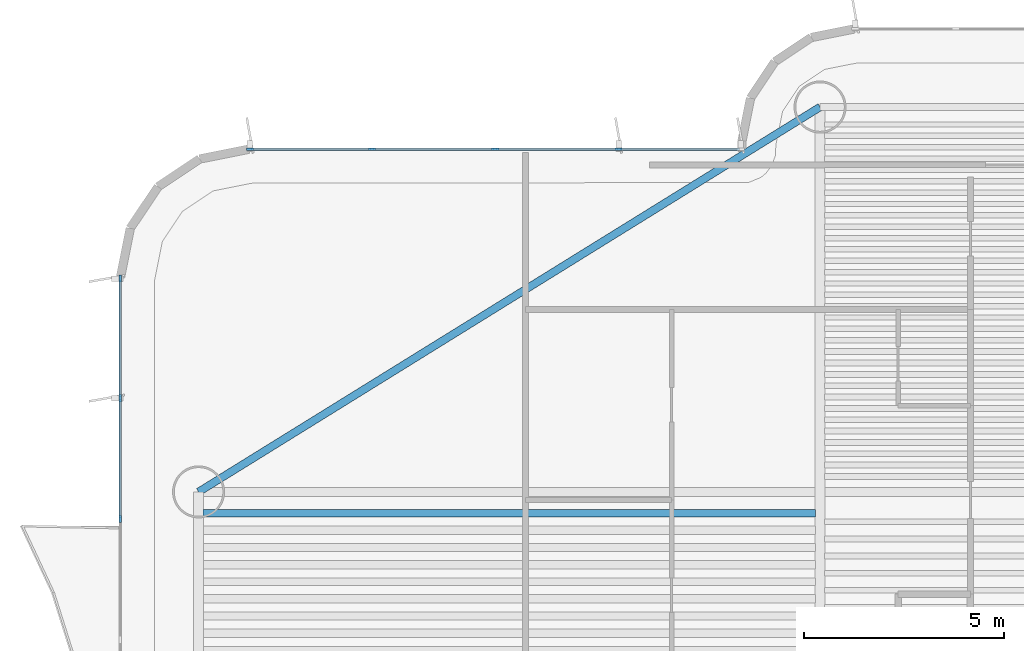
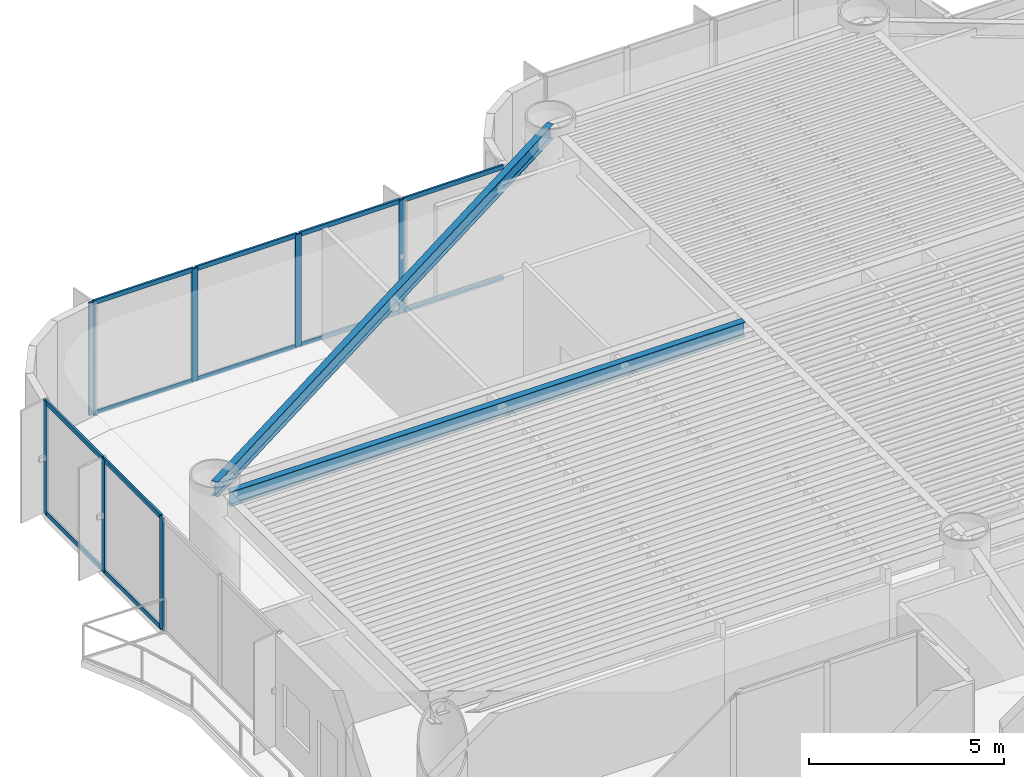
# One storey, part 5 of 17: 19 members, 2 beams, 2 elements without a shape of their own.
"""IFC4 building model written with IfcOpenShell, lengths in metres."""

from ifc_helpers import new_model, si_unit, direction, frame, origin, origin_2d, place, context, subcontext, project, spatial, rectangle, i_section, extrude, source, transform, mapped, material, layer, layer_set, material_profile, profile_set, type_object, element, aggregate, save


model = new_model("IFC4")

# Units and contexts
model_context = context("Model", 3, precision=1e-05, world=origin(), true_north=direction((0.0, 1.0)))
body_context = subcontext(model_context, "Body", "Model", "MODEL_VIEW")
ifc_project = project(units=[si_unit("LENGTHUNIT", "METRE"), si_unit("AREAUNIT", "SQUARE_METRE"), si_unit("VOLUMEUNIT", "CUBIC_METRE"), si_unit("PLANEANGLEUNIT", "RADIAN"), si_unit("MASSUNIT", "GRAM", prefix="KILO")], contexts=[model_context])

# Site, building, storey
site_placement = place(None, origin())
site = spatial("IfcSite", under=ifc_project, at=site_placement, CompositionType="ELEMENT")
building_placement = place(site_placement, origin())
building = spatial("IfcBuilding", under=site, at=building_placement, Name="Brelvock Crest Care Tower", CompositionType="ELEMENT")
storey_placement = place(building_placement, frame((0.0, 0.0, 93.60009765625)))
storey = spatial("IfcBuildingStorey", under=building, at=storey_placement, Name="L23", CompositionType="ELEMENT", Elevation=93.60009765625)

# Beams
ifc_material_1 = material(Name="Steel Grade 350", Category="steel")
ifc_material_profile_1 = material_profile(ifc_material_1, i_section(OverallWidth=0.19091796875, OverallDepth=0.4599609375, WebThickness=0.010009765625, FlangeThickness=0.01611328125, FilletRadius=0.011474609375, at=origin_2d()), Name="460UB82.1")
ifc_profile_set_1 = profile_set([ifc_material_profile_1], Name="Steel Grade 350")
beam_type_1 = type_object("IfcBeamType", Name="BM-G3", PredefinedType="BEAM", material=ifc_profile_set_1)
shared_shape_1 = source(origin(), body_context, "Body", "SweptSolid", [
    extrude(i_section(OverallWidth=0.19091796875, OverallDepth=0.4599609375, WebThickness=0.010009765625, FlangeThickness=0.01611328125, FilletRadius=0.011474609375, at=origin_2d()), origin(), (0.0, 0.0, 1.0), 15.27001953125),
])
beam_1_placement = place(storey_placement, frame((15.965087890625, 38.317626953125, 3.2998046875), z_axis=(1.0, 0.0, 0.0), x_axis=(0.0, 1.0, 0.0)))
element("IfcBeam", 1, at=beam_1_placement, inside=storey, type_object=beam_type_1, Name="BM-JW-L23-26", PredefinedType="BEAM", context=body_context, shape_type="MappedRepresentation", body=[
    mapped(shared_shape_1, transform((0.0, 0.0, 0.0), x_axis=(1.0, 0.0, 0.0), y_axis=(0.0, 1.0, 0.0), z_axis=(0.0, 0.0, 1.0), scale=1.0)),
])
ifc_material_profile_2 = material_profile(ifc_material_1, i_section(OverallWidth=0.19091796875, OverallDepth=0.4599609375, WebThickness=0.010009765625, FlangeThickness=0.01611328125, FilletRadius=0.011474609375, at=origin_2d()), Name="460UB82.1")
ifc_profile_set_2 = profile_set([ifc_material_profile_2], Name="Steel Grade 350")
beam_type_2 = type_object("IfcBeamType", Name="BM-SP2", PredefinedType="SPANDREL", material=ifc_profile_set_2)
shared_shape_2 = source(origin(), body_context, "Body", "SweptSolid", [
    extrude(i_section(OverallWidth=0.19091796875, OverallDepth=0.4599609375, WebThickness=0.010009765625, FlangeThickness=0.01611328125, FilletRadius=0.011474609375, at=origin_2d()), origin(), (0.0, 0.0, 1.0), 18.23193359375),
])
beam_2_placement = place(storey_placement, frame((15.85009765625, 38.85009765625, 3.2998046875), z_axis=(0.85015183248, 0.526537616635, 0.0), x_axis=(-0.526537616635, 0.85015183248, 0.0)))
element("IfcBeam", 2, at=beam_2_placement, inside=storey, type_object=beam_type_2, Name="BM-TWR-L23-06", PredefinedType="SPANDREL", context=body_context, shape_type="MappedRepresentation", body=[
    mapped(shared_shape_2, transform((0.0, 0.0, 0.0), x_axis=(1.0, 0.0, 0.0), y_axis=(0.0, 1.0, 0.0), z_axis=(0.0, 0.0, 1.0), scale=1.0)),
])

# Curtain wall, members
ifc_material_2 = material(Name="Dark Glass Double Glazed Low-E", Category="glass")
ifc_layer = layer(ifc_material_2, 0.2099609375, Name="CWS-3")
ifc_layer_set = layer_set([ifc_layer], Name="Dark Glass Double Glazed Low-E")
curtain_wall_type = type_object("IfcCurtainWallType", Name="CWS-3", PredefinedType="NOTDEFINED", material=ifc_layer_set)
curtain_wall_1_placement = place(storey_placement, origin())
curtain_wall_1 = element("IfcCurtainWall", 3, at=curtain_wall_1_placement, inside=storey, type_object=curtain_wall_type, Name="L23 Curtain Wall E17B", PredefinedType="NOTDEFINED")
ifc_material_3 = material(Name="Aluminium 6063-T6", Category="aluminium")
ifc_material_profile_3 = material_profile(ifc_material_3, rectangle(XDim=0.06005859375, YDim=0.139892578125, at=origin_2d()), Name="ALU60x140")
ifc_profile_set_3 = profile_set([ifc_material_profile_3], Name="Aluminium 6063-T6")
member_type_1 = type_object("IfcMemberType", Name="CWT-2", PredefinedType="USERDEFINED", material=ifc_profile_set_3)
shared_shape_3 = source(origin(), body_context, "Body", "SweptSolid", [
    extrude(rectangle(XDim=0.06005859375, YDim=0.139892578125, at=origin_2d()), origin(), (0.0, 0.0, 1.0), 2.952392578125),
])
member_1_placement = place(storey_placement, frame((13.89990234375, 38.205078125, 0.02978515625), z_axis=(0.0, 1.0, 0.0), x_axis=(-1.0, 0.0, 0.0)))
member_1 = element("IfcMember", 4, at=member_1_placement, type_object=member_type_1, Name="CW-3 transom 3.1", ObjectType="TRANSOM", PredefinedType="USERDEFINED", context=body_context, shape_type="MappedRepresentation", body=[
    mapped(shared_shape_3, transform((0.0, 0.0, 0.0), x_axis=(1.0, 0.0, 0.0), y_axis=(0.0, 1.0, 0.0), z_axis=(0.0, 0.0, 1.0), scale=1.0)),
])
member_2_placement = place(storey_placement, frame((13.89990234375, 38.205078125, 3.5), z_axis=(0.0, 1.0, 0.0), x_axis=(-1.0, 0.0, 0.0)))
member_2 = element("IfcMember", 5, at=member_2_placement, type_object=member_type_1, Name="CW-3 transom 3.2", ObjectType="TRANSOM", PredefinedType="USERDEFINED", context=body_context, shape_type="MappedRepresentation", body=[
    mapped(shared_shape_3, transform((0.0, 0.0, 0.0), x_axis=(1.0, 0.0, 0.0), y_axis=(0.0, 1.0, 0.0), z_axis=(0.0, 0.0, 1.0), scale=1.0)),
])
shared_shape_4 = source(origin(), body_context, "Body", "SweptSolid", [
    extrude(rectangle(XDim=0.06005859375, YDim=0.139892578125, at=origin_2d()), origin(), (0.0, 0.0, 1.0), 2.92236328125),
])
member_3_placement = place(storey_placement, frame((13.89990234375, 41.217529296875, 0.02978515625), z_axis=(0.0, 1.0, 0.0), x_axis=(-1.0, 0.0, 0.0)))
member_3 = element("IfcMember", 6, at=member_3_placement, type_object=member_type_1, Name="CW-3 transom 4.1", ObjectType="TRANSOM", PredefinedType="USERDEFINED", context=body_context, shape_type="MappedRepresentation", body=[
    mapped(shared_shape_4, transform((0.0, 0.0, 0.0), x_axis=(1.0, 0.0, 0.0), y_axis=(0.0, 1.0, 0.0), z_axis=(0.0, 0.0, 1.0), scale=1.0)),
])
member_4_placement = place(storey_placement, frame((13.89990234375, 41.217529296875, 3.5), z_axis=(0.0, 1.0, 0.0), x_axis=(-1.0, 0.0, 0.0)))
member_4 = element("IfcMember", 7, at=member_4_placement, type_object=member_type_1, Name="CW-3 transom 4.2", ObjectType="TRANSOM", PredefinedType="USERDEFINED", context=body_context, shape_type="MappedRepresentation", body=[
    mapped(shared_shape_4, transform((0.0, 0.0, 0.0), x_axis=(1.0, 0.0, 0.0), y_axis=(0.0, 1.0, 0.0), z_axis=(0.0, 0.0, 1.0), scale=1.0)),
])

curtain_wall_2_placement = place(storey_placement, origin())
curtain_wall_2 = element("IfcCurtainWall", 8, at=curtain_wall_2_placement, inside=storey, type_object=curtain_wall_type, Name="L23 Curtain Wall E22", PredefinedType="NOTDEFINED")
shared_shape_5 = source(origin(), body_context, "Body", "SweptSolid", [
    extrude(rectangle(XDim=0.06005859375, YDim=0.139892578125, at=origin_2d()), origin(), (0.0, 0.0, 1.0), 2.985107421875),
])
member_5_placement = place(storey_placement, frame((17.159912109375, 47.39990234375, 0.02978515625), z_axis=(1.0, 0.0, 0.0), x_axis=(0.0, 1.0, 0.0)))
member_5 = element("IfcMember", 9, at=member_5_placement, type_object=member_type_1, Name="CW-3 transom 1.1", ObjectType="TRANSOM", PredefinedType="USERDEFINED", context=body_context, shape_type="MappedRepresentation", body=[
    mapped(shared_shape_5, transform((0.0, 0.0, 0.0), x_axis=(1.0, 0.0, 0.0), y_axis=(0.0, 1.0, 0.0), z_axis=(0.0, 0.0, 1.0), scale=1.0)),
])
member_6_placement = place(storey_placement, frame((17.159912109375, 47.39990234375, 3.5), z_axis=(1.0, 0.0, 0.0), x_axis=(0.0, 1.0, 0.0)))
member_6 = element("IfcMember", 10, at=member_6_placement, type_object=member_type_1, Name="CW-3 transom 1.2", ObjectType="TRANSOM", PredefinedType="USERDEFINED", context=body_context, shape_type="MappedRepresentation", body=[
    mapped(shared_shape_5, transform((0.0, 0.0, 0.0), x_axis=(1.0, 0.0, 0.0), y_axis=(0.0, 1.0, 0.0), z_axis=(0.0, 0.0, 1.0), scale=1.0)),
])
member_7_placement = place(storey_placement, frame((26.35498046875, 47.39990234375, 0.02978515625), z_axis=(1.0, 0.0, 0.0), x_axis=(0.0, 1.0, 0.0)))
member_7 = element("IfcMember", 11, at=member_7_placement, type_object=member_type_1, Name="CW-3 transom 4.1", ObjectType="TRANSOM", PredefinedType="USERDEFINED", context=body_context, shape_type="MappedRepresentation", body=[
    mapped(shared_shape_5, transform((0.0, 0.0, 0.0), x_axis=(1.0, 0.0, 0.0), y_axis=(0.0, 1.0, 0.0), z_axis=(0.0, 0.0, 1.0), scale=1.0)),
])
member_8_placement = place(storey_placement, frame((26.35498046875, 47.39990234375, 3.5), z_axis=(1.0, 0.0, 0.0), x_axis=(0.0, 1.0, 0.0)))
member_8 = element("IfcMember", 12, at=member_8_placement, type_object=member_type_1, Name="CW-3 transom 4.2", ObjectType="TRANSOM", PredefinedType="USERDEFINED", context=body_context, shape_type="MappedRepresentation", body=[
    mapped(shared_shape_5, transform((0.0, 0.0, 0.0), x_axis=(1.0, 0.0, 0.0), y_axis=(0.0, 1.0, 0.0), z_axis=(0.0, 0.0, 1.0), scale=1.0)),
])
shared_shape_6 = source(origin(), body_context, "Body", "SweptSolid", [
    extrude(rectangle(XDim=0.06005859375, YDim=0.139892578125, at=origin_2d()), origin(), (0.0, 0.0, 1.0), 3.014892578125),
])
member_9_placement = place(storey_placement, frame((20.205078125, 47.39990234375, 0.02978515625), z_axis=(1.0, 0.0, 0.0), x_axis=(0.0, 1.0, 0.0)))
member_9 = element("IfcMember", 13, at=member_9_placement, type_object=member_type_1, Name="CW-3 transom 2.1", ObjectType="TRANSOM", PredefinedType="USERDEFINED", context=body_context, shape_type="MappedRepresentation", body=[
    mapped(shared_shape_6, transform((0.0, 0.0, 0.0), x_axis=(1.0, 0.0, 0.0), y_axis=(0.0, 1.0, 0.0), z_axis=(0.0, 0.0, 1.0), scale=1.0)),
])
member_10_placement = place(storey_placement, frame((20.205078125, 47.39990234375, 3.5), z_axis=(1.0, 0.0, 0.0), x_axis=(0.0, 1.0, 0.0)))
member_10 = element("IfcMember", 14, at=member_10_placement, type_object=member_type_1, Name="CW-3 transom 2.2", ObjectType="TRANSOM", PredefinedType="USERDEFINED", context=body_context, shape_type="MappedRepresentation", body=[
    mapped(shared_shape_6, transform((0.0, 0.0, 0.0), x_axis=(1.0, 0.0, 0.0), y_axis=(0.0, 1.0, 0.0), z_axis=(0.0, 0.0, 1.0), scale=1.0)),
])
member_11_placement = place(storey_placement, frame((23.280029296875, 47.39990234375, 0.02978515625), z_axis=(1.0, 0.0, 0.0), x_axis=(0.0, 1.0, 0.0)))
member_11 = element("IfcMember", 15, at=member_11_placement, type_object=member_type_1, Name="CW-3 transom 3.1", ObjectType="TRANSOM", PredefinedType="USERDEFINED", context=body_context, shape_type="MappedRepresentation", body=[
    mapped(shared_shape_6, transform((0.0, 0.0, 0.0), x_axis=(1.0, 0.0, 0.0), y_axis=(0.0, 1.0, 0.0), z_axis=(0.0, 0.0, 1.0), scale=1.0)),
])
member_12_placement = place(storey_placement, frame((23.280029296875, 47.39990234375, 3.5), z_axis=(1.0, 0.0, 0.0), x_axis=(0.0, 1.0, 0.0)))
member_12 = element("IfcMember", 16, at=member_12_placement, type_object=member_type_1, Name="CW-3 transom 3.2", ObjectType="TRANSOM", PredefinedType="USERDEFINED", context=body_context, shape_type="MappedRepresentation", body=[
    mapped(shared_shape_6, transform((0.0, 0.0, 0.0), x_axis=(1.0, 0.0, 0.0), y_axis=(0.0, 1.0, 0.0), z_axis=(0.0, 0.0, 1.0), scale=1.0)),
])

# Member
ifc_material_profile_4 = material_profile(ifc_material_3, rectangle(XDim=0.06005859375, YDim=0.179931640625, at=origin_2d()), Name="ALU60x180")
ifc_profile_set_4 = profile_set([ifc_material_profile_4], Name="Aluminium 6063-T6")
member_type_2 = type_object("IfcMemberType", Name="CWM-2", PredefinedType="MULLION", material=ifc_profile_set_4)
shared_shape_7 = source(origin(), body_context, "Body", "SweptSolid", [
    extrude(rectangle(XDim=0.06005859375, YDim=0.179931640625, at=origin_2d()), origin(), (0.0, 0.0, 1.0), 3.52978515625),
])
member_13_placement = place(storey_placement, frame((13.89990234375, 38.175048828125, 0.0), z_axis=(0.0, 0.0, 1.0), x_axis=(-1.0, 0.0, 0.0)))
member_13 = element("IfcMember", 17, at=member_13_placement, type_object=member_type_2, Name="CW-3 mullion 3", PredefinedType="MULLION", context=body_context, shape_type="MappedRepresentation", body=[
    mapped(shared_shape_7, transform((0.0, 0.0, 0.0), x_axis=(1.0, 0.0, 0.0), y_axis=(0.0, 1.0, 0.0), z_axis=(0.0, 0.0, 1.0), scale=1.0)),
])

member_14_placement = place(storey_placement, frame((13.89990234375, 41.1875, 0.0), z_axis=(0.0, 0.0, 1.0), x_axis=(-1.0, 0.0, 0.0)))
member_14 = element("IfcMember", 18, at=member_14_placement, type_object=member_type_2, Name="CW-3 mullion 4", PredefinedType="MULLION", context=body_context, shape_type="MappedRepresentation", body=[
    mapped(shared_shape_7, transform((0.0, 0.0, 0.0), x_axis=(1.0, 0.0, 0.0), y_axis=(0.0, 1.0, 0.0), z_axis=(0.0, 0.0, 1.0), scale=1.0)),
])

member_15_placement = place(storey_placement, frame((13.89990234375, 44.169921875, 0.0), z_axis=(0.0, 0.0, 1.0), x_axis=(-1.0, 0.0, 0.0)))
member_15 = element("IfcMember", 19, at=member_15_placement, type_object=member_type_2, Name="CW-3 mullion 5", PredefinedType="MULLION", context=body_context, shape_type="MappedRepresentation", body=[
    mapped(shared_shape_7, transform((0.0, 0.0, 0.0), x_axis=(1.0, 0.0, 0.0), y_axis=(0.0, 1.0, 0.0), z_axis=(0.0, 0.0, 1.0), scale=1.0)),
])

aggregate(curtain_wall_1, [member_13, member_14, member_15, member_1, member_2, member_3, member_4])

member_16_placement = place(storey_placement, frame((17.1298828125, 47.39990234375, 0.0), z_axis=(0.0, 0.0, 1.0), x_axis=(0.0, 1.0, 0.0)))
member_16 = element("IfcMember", 20, at=member_16_placement, type_object=member_type_2, Name="CW-3 mullion 1", PredefinedType="MULLION", context=body_context, shape_type="MappedRepresentation", body=[
    mapped(shared_shape_7, transform((0.0, 0.0, 0.0), x_axis=(1.0, 0.0, 0.0), y_axis=(0.0, 1.0, 0.0), z_axis=(0.0, 0.0, 1.0), scale=1.0)),
])

member_17_placement = place(storey_placement, frame((20.175048828125, 47.39990234375, 0.0), z_axis=(0.0, 0.0, 1.0), x_axis=(0.0, 1.0, 0.0)))
member_17 = element("IfcMember", 21, at=member_17_placement, type_object=member_type_2, Name="CW-3 mullion 2", PredefinedType="MULLION", context=body_context, shape_type="MappedRepresentation", body=[
    mapped(shared_shape_7, transform((0.0, 0.0, 0.0), x_axis=(1.0, 0.0, 0.0), y_axis=(0.0, 1.0, 0.0), z_axis=(0.0, 0.0, 1.0), scale=1.0)),
])

member_18_placement = place(storey_placement, frame((23.25, 47.39990234375, 0.0), z_axis=(0.0, 0.0, 1.0), x_axis=(0.0, 1.0, 0.0)))
member_18 = element("IfcMember", 22, at=member_18_placement, type_object=member_type_2, Name="CW-3 mullion 3", PredefinedType="MULLION", context=body_context, shape_type="MappedRepresentation", body=[
    mapped(shared_shape_7, transform((0.0, 0.0, 0.0), x_axis=(1.0, 0.0, 0.0), y_axis=(0.0, 1.0, 0.0), z_axis=(0.0, 0.0, 1.0), scale=1.0)),
])

member_19_placement = place(storey_placement, frame((26.324951171875, 47.39990234375, 0.0), z_axis=(0.0, 0.0, 1.0), x_axis=(0.0, 1.0, 0.0)))
member_19 = element("IfcMember", 23, at=member_19_placement, type_object=member_type_2, Name="CW-3 mullion 4", PredefinedType="MULLION", context=body_context, shape_type="MappedRepresentation", body=[
    mapped(shared_shape_7, transform((0.0, 0.0, 0.0), x_axis=(1.0, 0.0, 0.0), y_axis=(0.0, 1.0, 0.0), z_axis=(0.0, 0.0, 1.0), scale=1.0)),
])

aggregate(curtain_wall_2, [member_16, member_17, member_18, member_19, member_5, member_6, member_9, member_10, member_11, member_12, member_7, member_8])

save(model, "model.ifc")
